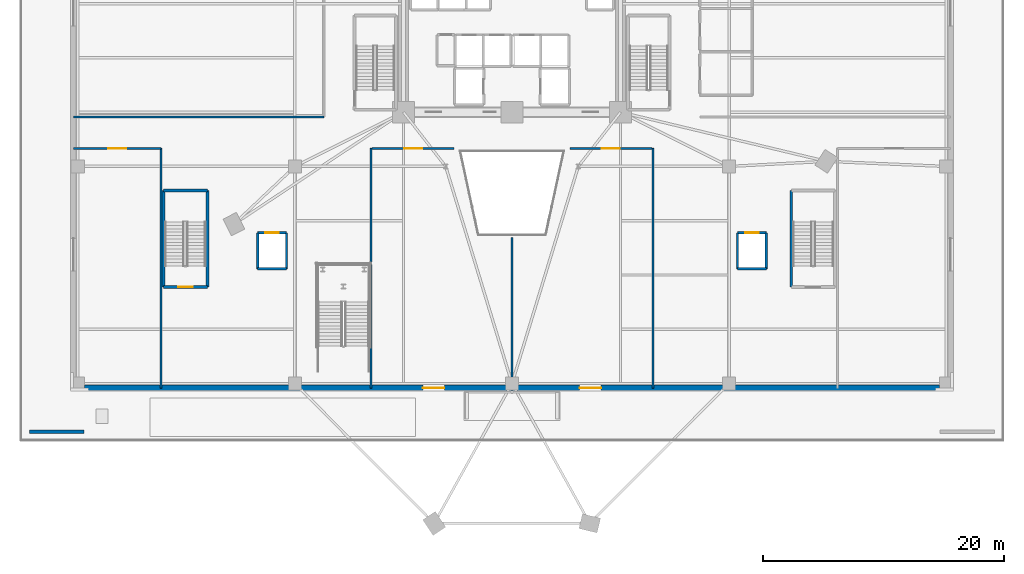
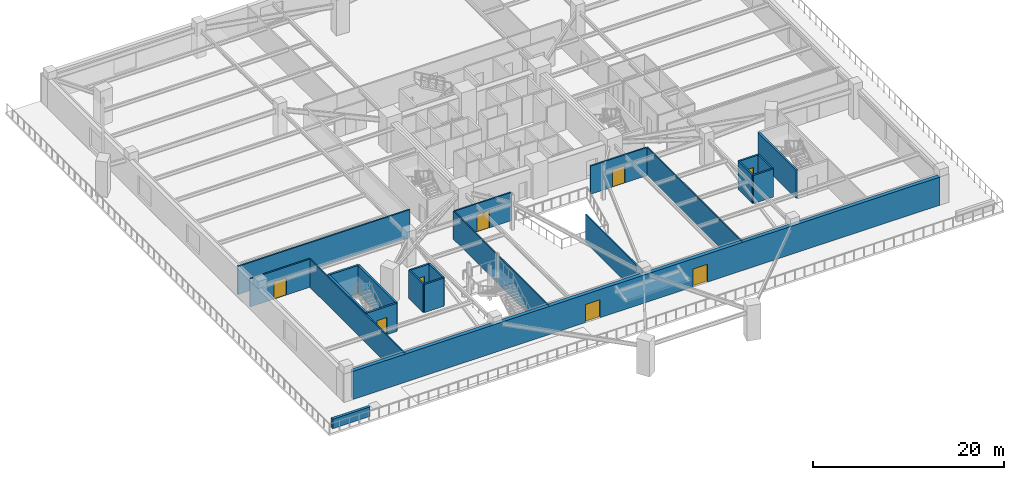
# One storey, part 7 of 19: 23 walls, 8 doors, 8 openings.
"""IFC4 building model written with IfcOpenShell, lengths in metres."""

from ifc_helpers import new_model, si_unit, direction, frame, frame_2d, origin, place, context, subcontext, project, spatial, rectangle, extrude, source, transform, mapped, material, layer, layer_set, type_object, element, fill, save


model = new_model("IFC4")

# Units and contexts
model_context = context("Model", 3, precision=1e-05, world=origin(), true_north=direction((0.0, 1.0)))
body_context = subcontext(model_context, "Body", "Model", "MODEL_VIEW")
ifc_project = project(units=[si_unit("LENGTHUNIT", "METRE"), si_unit("AREAUNIT", "SQUARE_METRE"), si_unit("VOLUMEUNIT", "CUBIC_METRE"), si_unit("PLANEANGLEUNIT", "RADIAN"), si_unit("MASSUNIT", "GRAM", prefix="KILO")], contexts=[model_context])

# Site, building, storey
site_placement = place(None, origin())
site = spatial("IfcSite", under=ifc_project, at=site_placement, CompositionType="ELEMENT")
building_placement = place(site_placement, origin())
building = spatial("IfcBuilding", under=site, at=building_placement, Name="Liaohun Quay Tower", CompositionType="ELEMENT")
storey_placement = place(building_placement, frame((0.0, 0.0, 18.89990234375)))
storey = spatial("IfcBuildingStorey", under=building, at=storey_placement, Name="L05", CompositionType="ELEMENT", Elevation=18.89990234375)

# Wall, openings, doors
ifc_material_1 = material(Name="Precast concrete C50 with granite facing", Category="masonry")
ifc_layer_1 = layer(ifc_material_1, 0.4599609375, Name="Precast concrete C50 with granite facing", Category="masonry")
ifc_layer_set_1 = layer_set([ifc_layer_1], Name="Precast concrete C50 with granite facing")
wall_type_1 = type_object("IfcWallType", Name="WAL-EXT-POD", PredefinedType="SOLIDWALL", material=ifc_layer_set_1)
wall_1_placement = place(storey_placement, frame((24.5400390625, 23.6298828125, 0.0), z_axis=(0.0, 0.0, 1.0), x_axis=(1.0, 0.0, 0.0)))
wall_1 = element("IfcWall", 1, at=wall_1_placement, inside=storey, type_object=wall_type_1, Name="L05 Podium Precast Facade Wall 04", PredefinedType="SOLIDWALL", context=body_context, shape_type="SweptSolid", body=[
    extrude(rectangle(XDim=70.919921875, YDim=0.4599609375, at=frame_2d((35.4599609375, 0.0))), origin(), (0.0, 0.0, 1.0), 3.60009765625),
])
shared_shape_1 = source(origin(), body_context, "Body", "SweptSolid", [
    extrude(rectangle(XDim=1.800048828125, YDim=2.300048828125, at=frame_2d((0.89990234375, 1.14990234375))), frame((0.0, 0.239990234375, 0.0), z_axis=(0.0, -1.0, 0.0), x_axis=(1.0, 0.0, 0.0)), (0.0, 0.0, 1.0), 0.47998046875),
])
opening_1_placement = place(wall_1_placement, frame((28.06005859375, 0.0, 0.0)))
opening_1 = element("IfcOpeningElement", 2, at=opening_1_placement, cuts=wall_1, Name="Opening TD1", PredefinedType="OPENING", context=body_context, shape_type="MappedRepresentation", body=[
    mapped(shared_shape_1, transform((0.0, 0.0, 0.0), x_axis=(1.0, 0.0, 0.0), y_axis=(0.0, 1.0, 0.0), z_axis=(0.0, 0.0, 1.0), scale=1.0)),
])
opening_2_placement = place(wall_1_placement, frame((41.06005859375, 0.0, 0.0)))
opening_2 = element("IfcOpeningElement", 3, at=opening_2_placement, cuts=wall_1, Name="Opening TD1", PredefinedType="OPENING", context=body_context, shape_type="MappedRepresentation", body=[
    mapped(shared_shape_1, transform((0.0, 0.0, 0.0), x_axis=(1.0, 0.0, 0.0), y_axis=(0.0, 1.0, 0.0), z_axis=(0.0, 0.0, 1.0), scale=1.0)),
])
ifc_material_2 = material(Name="Thermally broken aluminium and triple glazing", Category="aluminium")
door_type_1 = type_object("IfcDoorType", Name="DOR-TERR-1800", OperationType="DOUBLE_DOOR_SINGLE_SWING", PredefinedType="DOOR", material=ifc_material_2)
shared_shape_2 = source(origin(), body_context, "Body", "SweptSolid", [
    extrude(rectangle(XDim=1.800048828125, YDim=2.300048828125, at=frame_2d((0.89990234375, 1.14990234375))), frame((0.0, 0.02490234375, 0.0), z_axis=(0.0, -1.0, 0.0), x_axis=(1.0, 0.0, 0.0)), (0.0, 0.0, 1.0), 0.050048828125),
])
door_1_placement = place(opening_1_placement, origin())
door_1 = element("IfcDoor", 4, at=door_1_placement, inside=storey, type_object=door_type_1, Name="L05 Waterfront Stepped Terrace Door 1", OperationType="DOUBLE_DOOR_SINGLE_SWING", OverallHeight=2.300048828125, OverallWidth=1.800048828125, PredefinedType="DOOR", context=body_context, shape_type="MappedRepresentation", body=[
    mapped(shared_shape_2, transform((0.0, 0.0, 0.0), x_axis=(1.0, 0.0, 0.0), y_axis=(0.0, 1.0, 0.0), z_axis=(0.0, 0.0, 1.0), scale=1.0)),
])
fill(opening_1, door_1)
door_2_placement = place(opening_2_placement, origin())
door_2 = element("IfcDoor", 5, at=door_2_placement, inside=storey, type_object=door_type_1, Name="L05 Waterfront Stepped Terrace Door 2", OperationType="DOUBLE_DOOR_SINGLE_SWING", OverallHeight=2.300048828125, OverallWidth=1.800048828125, PredefinedType="DOOR", context=body_context, shape_type="MappedRepresentation", body=[
    mapped(shared_shape_2, transform((0.0, 0.0, 0.0), x_axis=(1.0, 0.0, 0.0), y_axis=(0.0, 1.0, 0.0), z_axis=(0.0, 0.0, 1.0), scale=1.0)),
])
fill(opening_2, door_2)

# Wall
ifc_material_3 = material(Name="Precast concrete C50", Category="concrete")
ifc_layer_2 = layer(ifc_material_3, 0.320068359375, Name="Precast concrete C50", Category="concrete")
ifc_layer_set_2 = layer_set([ifc_layer_2], Name="Precast concrete C50")
wall_type_2 = type_object("IfcWallType", Name="WAL-PAR-320", PredefinedType="PARAPET", material=ifc_layer_set_2)
wall_2_placement = place(storey_placement, frame((20.0, 20.0, 0.0), z_axis=(0.0, 0.0, 1.0), x_axis=(1.0, 0.0, 0.0)))
element("IfcWall", 6, at=wall_2_placement, inside=storey, type_object=wall_type_2, Name="L05 Terrace Corner Parapet Wall PW-1-1", PredefinedType="PARAPET", context=body_context, shape_type="SweptSolid", body=[
    extrude(rectangle(XDim=4.5, YDim=0.320068359375, at=frame_2d((2.25, 0.0))), origin(), (0.0, 0.0, 1.0), 1.22021484375),
])

# Wall, opening, door
ifc_material_4 = material(Name="Autoclaved aerated concrete blockwork", Category="masonry")
ifc_layer_3 = layer(ifc_material_4, 0.179931640625, Name="Autoclaved aerated concrete blockwork", Category="masonry")
ifc_layer_set_3 = layer_set([ifc_layer_3], Name="Autoclaved aerated concrete blockwork")
wall_type_3 = type_object("IfcWallType", Name="WAL-PRT-COR", PredefinedType="PARTITIONING", material=ifc_layer_set_3)
wall_3_placement = place(storey_placement, frame((48.39990234375, 43.5, 0.0), z_axis=(0.0, 0.0, 1.0), x_axis=(1.0, 0.0, 0.0)))
wall_3 = element("IfcWall", 7, at=wall_3_placement, inside=storey, type_object=wall_type_3, Name="L05 Interior Partition Wall 010", PredefinedType="PARTITIONING", context=body_context, shape_type="SweptSolid", body=[
    extrude(rectangle(XDim=6.800048828125, YDim=0.179931640625, at=frame_2d((3.39990234375, 0.0))), origin(), (0.0, 0.0, 1.0), 3.60009765625),
])
shared_shape_3 = source(origin(), body_context, "Body", "SweptSolid", [
    extrude(rectangle(XDim=1.5, YDim=2.199951171875, at=frame_2d((0.75, 1.10009765625))), frame((0.0, 0.099853515625, 0.0), z_axis=(0.0, -1.0, 0.0), x_axis=(1.0, 0.0, 0.0)), (0.0, 0.0, 1.0), 0.199951171875),
])
opening_3_placement = place(wall_3_placement, frame((2.64990234375, 0.0, 0.0)))
opening_3 = element("IfcOpeningElement", 8, at=opening_3_placement, cuts=wall_3, Name="Opening OD2", PredefinedType="OPENING", context=body_context, shape_type="MappedRepresentation", body=[
    mapped(shared_shape_3, transform((0.0, 0.0, 0.0), x_axis=(1.0, 0.0, 0.0), y_axis=(0.0, 1.0, 0.0), z_axis=(0.0, 0.0, 1.0), scale=1.0)),
])
ifc_material_5 = material(Name="Acoustic oak veneer double door")
door_type_2 = type_object("IfcDoorType", Name="DOR-OFF-1500", OperationType="DOUBLE_DOOR_SINGLE_SWING", PredefinedType="DOOR", material=ifc_material_5)
shared_shape_4 = source(origin(), body_context, "Body", "SweptSolid", [
    extrude(rectangle(XDim=1.5, YDim=2.199951171875, at=frame_2d((0.75, 1.10009765625))), frame((0.0, 0.02490234375, 0.0), z_axis=(0.0, -1.0, 0.0), x_axis=(1.0, 0.0, 0.0)), (0.0, 0.0, 1.0), 0.050048828125),
])
door_3_placement = place(opening_3_placement, origin())
door_3 = element("IfcDoor", 9, at=door_3_placement, inside=storey, type_object=door_type_2, Name="L05 South Terrace Reading Lounge West Door", OperationType="DOUBLE_DOOR_SINGLE_SWING", OverallHeight=2.199951171875, OverallWidth=1.5, PredefinedType="DOOR", context=body_context, shape_type="MappedRepresentation", body=[
    mapped(shared_shape_4, transform((0.0, 0.0, 0.0), x_axis=(1.0, 0.0, 0.0), y_axis=(0.0, 1.0, 0.0), z_axis=(0.0, 0.0, 1.0), scale=1.0)),
])
fill(opening_3, door_3)

wall_4_placement = place(storey_placement, frame((64.800048828125, 43.5, 0.0), z_axis=(0.0, 0.0, 1.0), x_axis=(1.0, 0.0, 0.0)))
wall_4 = element("IfcWall", 10, at=wall_4_placement, inside=storey, type_object=wall_type_3, Name="L05 Interior Partition Wall 011", PredefinedType="PARTITIONING", context=body_context, shape_type="SweptSolid", body=[
    extrude(rectangle(XDim=6.800048828125, YDim=0.179931640625, at=frame_2d((3.39990234375, 0.0))), origin(), (0.0, 0.0, 1.0), 3.60009765625),
])
opening_4_placement = place(wall_4_placement, frame((2.64990234375, 0.0, 0.0)))
opening_4 = element("IfcOpeningElement", 11, at=opening_4_placement, cuts=wall_4, Name="Opening OD2", PredefinedType="OPENING", context=body_context, shape_type="MappedRepresentation", body=[
    mapped(shared_shape_3, transform((0.0, 0.0, 0.0), x_axis=(1.0, 0.0, 0.0), y_axis=(0.0, 1.0, 0.0), z_axis=(0.0, 0.0, 1.0), scale=1.0)),
])
door_4_placement = place(opening_4_placement, origin())
door_4 = element("IfcDoor", 12, at=door_4_placement, inside=storey, type_object=door_type_2, Name="L05 South Terrace Reading Lounge East Door", OperationType="DOUBLE_DOOR_SINGLE_SWING", OverallHeight=2.199951171875, OverallWidth=1.5, PredefinedType="DOOR", context=body_context, shape_type="MappedRepresentation", body=[
    mapped(shared_shape_4, transform((0.0, 0.0, 0.0), x_axis=(1.0, 0.0, 0.0), y_axis=(0.0, 1.0, 0.0), z_axis=(0.0, 0.0, 1.0), scale=1.0)),
])
fill(opening_4, door_4)

wall_5_placement = place(storey_placement, frame((23.625, 43.5, 0.0), z_axis=(0.0, 0.0, 1.0), x_axis=(1.0, 0.0, 0.0)))
wall_5 = element("IfcWall", 13, at=wall_5_placement, inside=storey, type_object=wall_type_3, Name="L05 Interior Partition Wall 012", PredefinedType="PARTITIONING", context=body_context, shape_type="SweptSolid", body=[
    extrude(rectangle(XDim=7.27490234375, YDim=0.179931640625, at=frame_2d((3.637451171875, 0.0))), origin(), (0.0, 0.0, 1.0), 3.60009765625),
])
opening_5_placement = place(wall_5_placement, frame((2.886962890625, 0.0, 0.0)))
opening_5 = element("IfcOpeningElement", 14, at=opening_5_placement, cuts=wall_5, Name="Opening OD2", PredefinedType="OPENING", context=body_context, shape_type="MappedRepresentation", body=[
    mapped(shared_shape_3, transform((0.0, 0.0, 0.0), x_axis=(1.0, 0.0, 0.0), y_axis=(0.0, 1.0, 0.0), z_axis=(0.0, 0.0, 1.0), scale=1.0)),
])
door_5_placement = place(opening_5_placement, origin())
door_5 = element("IfcDoor", 15, at=door_5_placement, inside=storey, type_object=door_type_2, Name="L05 Co-Working Innovation Hub Door", OperationType="DOUBLE_DOOR_SINGLE_SWING", OverallHeight=2.199951171875, OverallWidth=1.5, PredefinedType="DOOR", context=body_context, shape_type="MappedRepresentation", body=[
    mapped(shared_shape_4, transform((0.0, 0.0, 0.0), x_axis=(1.0, 0.0, 0.0), y_axis=(0.0, 1.0, 0.0), z_axis=(0.0, 0.0, 1.0), scale=1.0)),
])
fill(opening_5, door_5)

# Walls
wall_6_placement = place(storey_placement, frame((23.625, 46.10009765625, 0.0), z_axis=(0.0, 0.0, 1.0), x_axis=(1.0, 0.0, 0.0)))
element("IfcWall", 16, at=wall_6_placement, inside=storey, type_object=wall_type_3, Name="L05 Interior Partition Wall 027", PredefinedType="PARTITIONING", context=body_context, shape_type="SweptSolid", body=[
    extrude(rectangle(XDim=20.794921875, YDim=0.179931640625, at=frame_2d((10.3974609375, 0.0))), origin(), (0.0, 0.0, 1.0), 3.60009765625),
])
ifc_material_6 = material(Name="Gypsum board on twin steel studs", Category="steel")
ifc_layer_4 = layer(ifc_material_6, 0.139892578125, Name="Gypsum board on twin steel studs", Category="steel")
ifc_layer_set_4 = layer_set([ifc_layer_4], Name="Gypsum board on twin steel studs")
wall_type_4 = type_object("IfcWallType", Name="WAL-PRT-OFF", PredefinedType="PARTITIONING", material=ifc_layer_set_4)
for number, where, z_axis, x_axis, name in (
    (17, (30.89990234375, 23.625, 0.0), (0.0, 0.0, 1.0), (0.0, 1.0, 0.0), "L05 Interior Partition Wall 031"),
    (18, (48.300048828125, 23.625, 0.0), (0.0, 0.0, 1.0), (0.0, 1.0, 0.0), "L05 Interior Partition Wall 033"),
    (19, (71.699951171875, 23.625, 0.0), (0.0, 0.0, 1.0), (0.0, 1.0, 0.0), "L05 Interior Partition Wall 034"),
):
    element("IfcWall", number, at=place(storey_placement, frame(where, z_axis=z_axis, x_axis=x_axis)), inside=storey, type_object=wall_type_4, Name=name, PredefinedType="PARTITIONING", context=body_context, shape_type="SweptSolid", body=[
        extrude(rectangle(XDim=19.875, YDim=0.139892578125, at=frame_2d((9.9375, 0.0))), origin(), (0.0, 0.0, 1.0), 3.60009765625),
    ])
wall_7_placement = place(storey_placement, frame((60.0, 23.625, 0.0), z_axis=(0.0, 0.0, 1.0), x_axis=(0.0, 1.0, 0.0)))
element("IfcWall", 20, at=wall_7_placement, inside=storey, type_object=wall_type_4, Name="L05 Interior Partition Wall 035", PredefinedType="PARTITIONING", context=body_context, shape_type="SweptSolid", body=[
    extrude(rectangle(XDim=12.47509765625, YDim=0.139892578125, at=frame_2d((6.237548828125, 0.0))), origin(), (0.0, 0.0, 1.0), 3.60009765625),
])

# Wall, opening, door
ifc_material_7 = material(Name="Concrete C50", Category="concrete")
ifc_layer_5 = layer(ifc_material_7, 0.239990234375, Name="Concrete C50", Category="concrete")
ifc_layer_set_5 = layer_set([ifc_layer_5], Name="Concrete C50")
wall_type_5 = type_object("IfcWallType", Name="WAL-SHF-200", PredefinedType="SOLIDWALL", material=ifc_layer_set_5)
wall_8_placement = place(storey_placement, frame((31.10009765625, 32.0, 0.0), z_axis=(0.0, 0.0, 1.0), x_axis=(1.0, 0.0, 0.0)))
wall_8 = element("IfcWall", 21, at=wall_8_placement, inside=storey, type_object=wall_type_5, Name="L05 Stairwell ST-P1 Structural Core Wall S", PredefinedType="SOLIDWALL", context=body_context, shape_type="SweptSolid", body=[
    extrude(rectangle(XDim=3.639892578125, YDim=0.239990234375, at=frame_2d((1.81982421875, 0.0))), origin(), (0.0, 0.0, 1.0), 3.60009765625),
])
shared_shape_5 = source(origin(), body_context, "Body", "SweptSolid", [
    extrude(rectangle(XDim=1.199951171875, YDim=2.199951171875, at=frame_2d((0.60009765625, 1.10009765625))), frame((0.0, 0.1298828125, 0.0), z_axis=(0.0, -1.0, 0.0), x_axis=(1.0, 0.0, 0.0)), (0.0, 0.0, 1.0), 0.260009765625),
])
opening_6_placement = place(wall_8_placement, frame((1.219970703125, 0.0, 0.0)))
opening_6 = element("IfcOpeningElement", 22, at=opening_6_placement, cuts=wall_8, Name="Opening SD1", PredefinedType="OPENING", context=body_context, shape_type="MappedRepresentation", body=[
    mapped(shared_shape_5, transform((0.0, 0.0, 0.0), x_axis=(1.0, 0.0, 0.0), y_axis=(0.0, 1.0, 0.0), z_axis=(0.0, 0.0, 1.0), scale=1.0)),
])
ifc_material_8 = material(Name="Galvanised steel fire door", Category="steel")
door_type_3 = type_object("IfcDoorType", Name="DOR-STR-1200", OperationType="NOTDEFINED", PredefinedType="DOOR", material=ifc_material_8)
shared_shape_6 = source(origin(), body_context, "Body", "SweptSolid", [
    extrude(rectangle(XDim=1.199951171875, YDim=2.199951171875, at=frame_2d((0.60009765625, 1.10009765625))), frame((0.0, 0.02490234375, 0.0), z_axis=(0.0, -1.0, 0.0), x_axis=(1.0, 0.0, 0.0)), (0.0, 0.0, 1.0), 0.050048828125),
])
door_6_placement = place(opening_6_placement, origin())
door_6 = element("IfcDoor", 23, at=door_6_placement, inside=storey, type_object=door_type_3, Name="L05 Protected Stair ST-P1 Fire Door", OperationType="SINGLE_SWING_LEFT", OverallHeight=2.199951171875, OverallWidth=1.199951171875, PredefinedType="DOOR", context=body_context, shape_type="MappedRepresentation", body=[
    mapped(shared_shape_6, transform((0.0, 0.0, 0.0), x_axis=(1.0, 0.0, 0.0), y_axis=(0.0, 1.0, 0.0), z_axis=(0.0, 0.0, 1.0), scale=1.0)),
])
fill(opening_6, door_6)

# Walls
wall_9_placement = place(storey_placement, frame((34.739990234375, 32.0, 0.0), z_axis=(0.0, 0.0, 1.0), x_axis=(0.0, 1.0, 0.0)))
element("IfcWall", 24, at=wall_9_placement, inside=storey, type_object=wall_type_5, Name="L05 Stairwell ST-P1 Structural Core Wall E", PredefinedType="SOLIDWALL", context=body_context, shape_type="SweptSolid", body=[
    extrude(rectangle(XDim=8.0, YDim=0.239990234375, at=frame_2d((4.0, 0.0))), origin(), (0.0, 0.0, 1.0), 3.60009765625),
])
wall_10_placement = place(storey_placement, frame((34.739990234375, 40.0, 0.0), z_axis=(0.0, 0.0, 1.0), x_axis=(-1.0, 0.0, 0.0)))
element("IfcWall", 25, at=wall_10_placement, inside=storey, type_object=wall_type_5, Name="L05 Stairwell ST-P1 Structural Core Wall N", PredefinedType="SOLIDWALL", context=body_context, shape_type="SweptSolid", body=[
    extrude(rectangle(XDim=3.639892578125, YDim=0.239990234375, at=frame_2d((1.81982421875, 0.0))), origin(), (0.0, 0.0, 1.0), 3.60009765625),
])
for number, where, z_axis, x_axis, name in (
    (26, (31.10009765625, 40.0, 0.0), (0.0, 0.0, 1.0), (0.0, -1.0, 0.0), "L05 Stairwell ST-P1 Structural Core Wall W"),
    (27, (83.159912109375, 40.0, 0.0), (0.0, 0.0, 1.0), (0.0, -1.0, 0.0), "L05 Stairwell ST-P2 Structural Core Wall W"),
):
    element("IfcWall", number, at=place(storey_placement, frame(where, z_axis=z_axis, x_axis=x_axis)), inside=storey, type_object=wall_type_5, Name=name, PredefinedType="SOLIDWALL", context=body_context, shape_type="SweptSolid", body=[
        extrude(rectangle(XDim=8.0, YDim=0.239990234375, at=frame_2d((4.0, 0.0))), origin(), (0.0, 0.0, 1.0), 3.60009765625),
    ])
wall_11_placement = place(storey_placement, frame((38.89990234375, 33.5, 0.0), z_axis=(0.0, 0.0, 1.0), x_axis=(1.0, 0.0, 0.0)))
element("IfcWall", 28, at=wall_11_placement, inside=storey, type_object=wall_type_5, Name="L05 Lift PD-01 Hoistway Wall S", PredefinedType="SOLIDWALL", context=body_context, shape_type="SweptSolid", body=[
    extrude(rectangle(XDim=2.400146484375, YDim=0.199951171875, at=frame_2d((1.2001953125, 0.0))), origin(), (0.0, 0.0, 1.0), 3.60009765625),
])
wall_12_placement = place(storey_placement, frame((41.300048828125, 33.5, 0.0), z_axis=(0.0, 0.0, 1.0), x_axis=(0.0, 1.0, 0.0)))
element("IfcWall", 29, at=wall_12_placement, inside=storey, type_object=wall_type_5, Name="L05 Lift PD-01 Hoistway Wall E", PredefinedType="SOLIDWALL", context=body_context, shape_type="SweptSolid", body=[
    extrude(rectangle(XDim=3.0, YDim=0.199951171875, at=frame_2d((1.5, 0.0))), origin(), (0.0, 0.0, 1.0), 3.60009765625),
])

# Wall, opening, door
wall_13_placement = place(storey_placement, frame((41.300048828125, 36.5, 0.0), z_axis=(0.0, 0.0, 1.0), x_axis=(-1.0, 0.0, 0.0)))
wall_13 = element("IfcWall", 30, at=wall_13_placement, inside=storey, type_object=wall_type_5, Name="L05 Lift PD-01 Hoistway Wall N", PredefinedType="SOLIDWALL", context=body_context, shape_type="SweptSolid", body=[
    extrude(rectangle(XDim=2.400146484375, YDim=0.199951171875, at=frame_2d((1.2001953125, 0.0))), origin(), (0.0, 0.0, 1.0), 3.60009765625),
])
shared_shape_7 = source(origin(), body_context, "Body", "SweptSolid", [
    extrude(rectangle(XDim=1.10009765625, YDim=2.199951171875, at=frame_2d((0.550048828125, 1.10009765625))), frame((0.0, 0.10986328125, 0.0), z_axis=(0.0, -1.0, 0.0), x_axis=(1.0, 0.0, 0.0)), (0.0, 0.0, 1.0), 0.219970703125),
])
opening_7_placement = place(wall_13_placement, frame((0.64990234375, 0.0, 0.0)))
opening_7 = element("IfcOpeningElement", 31, at=opening_7_placement, cuts=wall_13, Name="Opening LD1", PredefinedType="OPENING", context=body_context, shape_type="MappedRepresentation", body=[
    mapped(shared_shape_7, transform((0.0, 0.0, 0.0), x_axis=(1.0, 0.0, 0.0), y_axis=(0.0, 1.0, 0.0), z_axis=(0.0, 0.0, 1.0), scale=1.0)),
])
ifc_material_9 = material(Name="Brushed stainless steel landing door", Category="steel")
door_type_4 = type_object("IfcDoorType", Name="DOR-LFT-1100", OperationType="SLIDING_TO_LEFT", PredefinedType="DOOR", material=ifc_material_9)
shared_shape_8 = source(origin(), body_context, "Body", "SweptSolid", [
    extrude(rectangle(XDim=1.10009765625, YDim=2.199951171875, at=frame_2d((0.550048828125, 1.10009765625))), frame((0.0, 0.02490234375, 0.0), z_axis=(0.0, -1.0, 0.0), x_axis=(1.0, 0.0, 0.0)), (0.0, 0.0, 1.0), 0.050048828125),
])
door_7_placement = place(opening_7_placement, origin())
door_7 = element("IfcDoor", 32, at=door_7_placement, inside=storey, type_object=door_type_4, Name="L05 Lift PD-01 Sliding Landing Door", OperationType="SLIDING_TO_LEFT", OverallHeight=2.199951171875, OverallWidth=1.10009765625, PredefinedType="DOOR", context=body_context, shape_type="MappedRepresentation", body=[
    mapped(shared_shape_8, transform((0.0, 0.0, 0.0), x_axis=(1.0, 0.0, 0.0), y_axis=(0.0, 1.0, 0.0), z_axis=(0.0, 0.0, 1.0), scale=1.0)),
])
fill(opening_7, door_7)

# Walls
wall_14_placement = place(storey_placement, frame((38.89990234375, 36.5, 0.0), z_axis=(0.0, 0.0, 1.0), x_axis=(0.0, -1.0, 0.0)))
element("IfcWall", 33, at=wall_14_placement, inside=storey, type_object=wall_type_5, Name="L05 Lift PD-01 Hoistway Wall W", PredefinedType="SOLIDWALL", context=body_context, shape_type="SweptSolid", body=[
    extrude(rectangle(XDim=3.0, YDim=0.199951171875, at=frame_2d((1.5, 0.0))), origin(), (0.0, 0.0, 1.0), 3.60009765625),
])
wall_15_placement = place(storey_placement, frame((78.699951171875, 33.5, 0.0), z_axis=(0.0, 0.0, 1.0), x_axis=(1.0, 0.0, 0.0)))
element("IfcWall", 34, at=wall_15_placement, inside=storey, type_object=wall_type_5, Name="L05 Lift PD-02 Hoistway Wall S", PredefinedType="SOLIDWALL", context=body_context, shape_type="SweptSolid", body=[
    extrude(rectangle(XDim=2.400146484375, YDim=0.199951171875, at=frame_2d((1.2001953125, 0.0))), origin(), (0.0, 0.0, 1.0), 3.60009765625),
])
wall_16_placement = place(storey_placement, frame((81.10009765625, 33.5, 0.0), z_axis=(0.0, 0.0, 1.0), x_axis=(0.0, 1.0, 0.0)))
element("IfcWall", 35, at=wall_16_placement, inside=storey, type_object=wall_type_5, Name="L05 Lift PD-02 Hoistway Wall E", PredefinedType="SOLIDWALL", context=body_context, shape_type="SweptSolid", body=[
    extrude(rectangle(XDim=3.0, YDim=0.199951171875, at=frame_2d((1.5, 0.0))), origin(), (0.0, 0.0, 1.0), 3.60009765625),
])

# Wall, opening, door
wall_17_placement = place(storey_placement, frame((81.10009765625, 36.5, 0.0), z_axis=(0.0, 0.0, 1.0), x_axis=(-1.0, 0.0, 0.0)))
wall_17 = element("IfcWall", 36, at=wall_17_placement, inside=storey, type_object=wall_type_5, Name="L05 Lift PD-02 Hoistway Wall N", PredefinedType="SOLIDWALL", context=body_context, shape_type="SweptSolid", body=[
    extrude(rectangle(XDim=2.400146484375, YDim=0.199951171875, at=frame_2d((1.2001953125, 0.0))), origin(), (0.0, 0.0, 1.0), 3.60009765625),
])
opening_8_placement = place(wall_17_placement, frame((0.64990234375, 0.0, 0.0)))
opening_8 = element("IfcOpeningElement", 37, at=opening_8_placement, cuts=wall_17, Name="Opening LD1", PredefinedType="OPENING", context=body_context, shape_type="MappedRepresentation", body=[
    mapped(shared_shape_7, transform((0.0, 0.0, 0.0), x_axis=(1.0, 0.0, 0.0), y_axis=(0.0, 1.0, 0.0), z_axis=(0.0, 0.0, 1.0), scale=1.0)),
])
door_8_placement = place(opening_8_placement, origin())
door_8 = element("IfcDoor", 38, at=door_8_placement, inside=storey, type_object=door_type_4, Name="L05 Lift PD-02 Sliding Landing Door", OperationType="SLIDING_TO_LEFT", OverallHeight=2.199951171875, OverallWidth=1.10009765625, PredefinedType="DOOR", context=body_context, shape_type="MappedRepresentation", body=[
    mapped(shared_shape_8, transform((0.0, 0.0, 0.0), x_axis=(1.0, 0.0, 0.0), y_axis=(0.0, 1.0, 0.0), z_axis=(0.0, 0.0, 1.0), scale=1.0)),
])
fill(opening_8, door_8)

# Wall
wall_18_placement = place(storey_placement, frame((78.699951171875, 36.5, 0.0), z_axis=(0.0, 0.0, 1.0), x_axis=(0.0, -1.0, 0.0)))
element("IfcWall", 39, at=wall_18_placement, inside=storey, type_object=wall_type_5, Name="L05 Lift PD-02 Hoistway Wall W", PredefinedType="SOLIDWALL", context=body_context, shape_type="SweptSolid", body=[
    extrude(rectangle(XDim=3.0, YDim=0.199951171875, at=frame_2d((1.5, 0.0))), origin(), (0.0, 0.0, 1.0), 3.60009765625),
])

save(model, "model.ifc")
